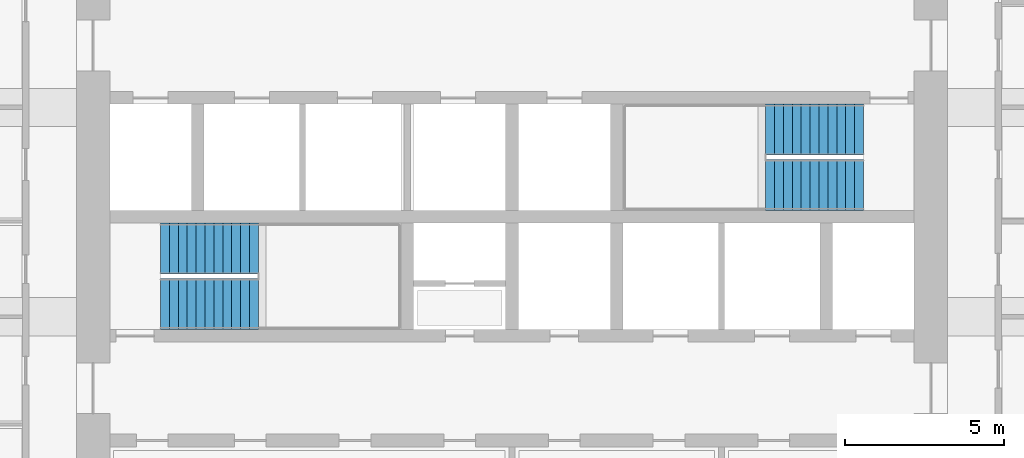
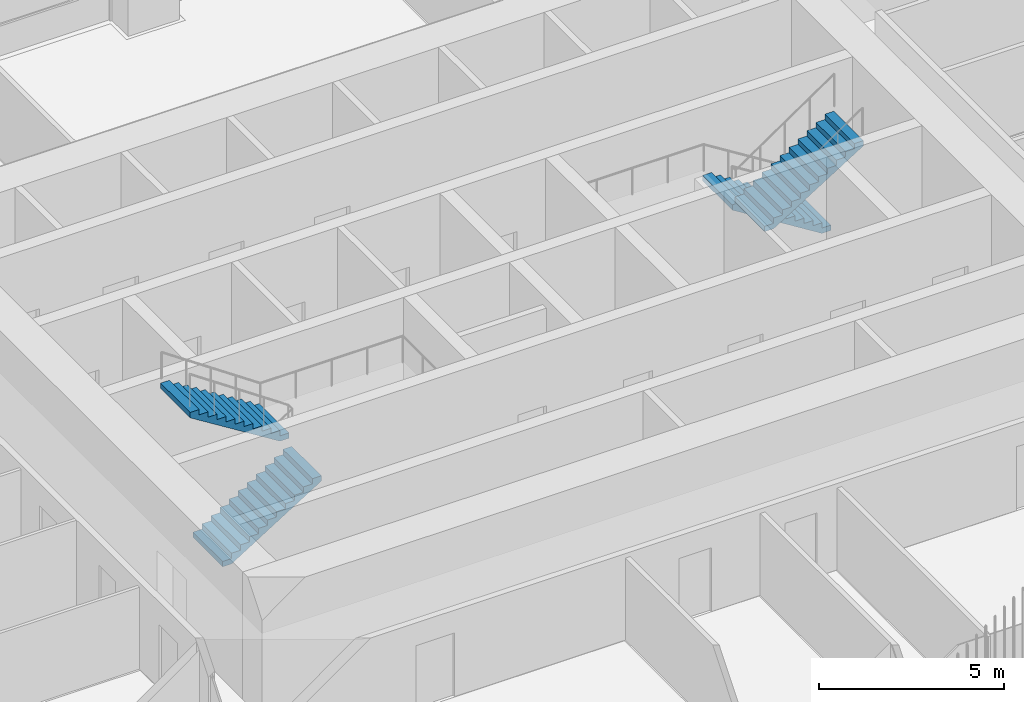
# One storey, part 15 of 20: 4 stair flights, 2 elements without a shape of their own.
"""IFC4 building model written with IfcOpenShell, lengths in metres."""

from ifc_helpers import new_model, si_unit, direction, frame, origin, place, context, subcontext, project, spatial, polyline, outline, extrude, material, type_object, element, aggregate, save


model = new_model("IFC4")

# Units and contexts
model_context = context("Model", 3, precision=1e-05, world=origin(), true_north=direction((0.0, 1.0)))
body_context = subcontext(model_context, "Body", "Model", "MODEL_VIEW")
ifc_project = project(units=[si_unit("LENGTHUNIT", "METRE"), si_unit("AREAUNIT", "SQUARE_METRE"), si_unit("VOLUMEUNIT", "CUBIC_METRE"), si_unit("PLANEANGLEUNIT", "RADIAN"), si_unit("MASSUNIT", "GRAM", prefix="KILO")], contexts=[model_context])

# Site, building, storey
site_placement = place(None, origin())
site = spatial("IfcSite", under=ifc_project, at=site_placement, CompositionType="ELEMENT")
building_placement = place(site_placement, origin())
building = spatial("IfcBuilding", under=site, at=building_placement, Name="Cobogo Forest Laboratory Tower", CompositionType="ELEMENT")
storey_placement = place(building_placement, frame((0.0, 0.0, 193.5)))
storey = spatial("IfcBuildingStorey", under=building, at=storey_placement, Name="L44", CompositionType="ELEMENT", Elevation=193.5)

# Stair, stair flights
ifc_material = material(Name="Precast concrete HA-40 (C40/50)", Category="concrete")
stair_type = type_object("IfcStairType", Name="ST24 exit stair 24 risers", PredefinedType="HALF_TURN_STAIR", material=ifc_material)
stair_1_placement = place(storey_placement, origin())
stair_1 = element("IfcStair", 1, at=stair_1_placement, inside=storey, type_object=stair_type, Name="Stair 1 L44 to L45", PredefinedType="HALF_TURN_STAIR")
stair_flight_type = type_object("IfcStairFlightType", Name="ST stair flight 280 going", PredefinedType="STRAIGHT", material=ifc_material)
stair_flight_1_placement = place(storey_placement, frame((15.324951171875, 20.199951171875, 0.0), z_axis=(0.0, 0.0, 1.0), x_axis=(1.0, 0.0, 0.0)))
stair_flight_1 = element("IfcStairFlight", 2, at=stair_flight_1_placement, type_object=stair_flight_type, Name="ST1 flight 1", NumberOfRisers=12, NumberOfTreads=11, PredefinedType="STRAIGHT", RiserHeight=0.175, TreadLength=0.28, context=body_context, shape_type="SweptSolid", body=[
    extrude(outline(polyline([(0.0, 0.0), (0.0, 0.175048828125), (0.280029296875, 0.175048828125), (0.280029296875, 0.35009765625), (0.56005859375, 0.35009765625), (0.56005859375, 0.52490234375), (0.840087890625, 0.52490234375), (0.840087890625, 0.699951171875), (1.1201171875, 0.699951171875), (1.1201171875, 0.875), (1.39990234375, 0.875), (1.39990234375, 1.050048828125), (1.679931640625, 1.050048828125), (1.679931640625, 1.22509765625), (1.9599609375, 1.22509765625), (1.9599609375, 1.39990234375), (2.239990234375, 1.39990234375), (2.239990234375, 1.574951171875), (2.52001953125, 1.574951171875), (2.52001953125, 1.75), (2.800048828125, 1.75), (2.800048828125, 1.925048828125), (3.080078125, 1.925048828125), (3.080078125, 2.10009765625), (3.080078125, 1.748291015625), (0.28271484375, 0.0), (0.0, 0.0)])), frame((0.0, 0.800048828125, 0.0), z_axis=(0.0, -1.0, 0.0), x_axis=(1.0, 0.0, 0.0)), (0.0, 0.0, 1.0), 1.60009765625),
])
stair_flight_2_placement = place(storey_placement, frame((18.405029296875, 21.949951171875, 2.10009765625), z_axis=(0.0, 0.0, 1.0), x_axis=(-1.0, 0.0, 0.0)))
stair_flight_2 = element("IfcStairFlight", 3, at=stair_flight_2_placement, type_object=stair_flight_type, Name="ST1 flight 2", NumberOfRisers=12, NumberOfTreads=11, PredefinedType="STRAIGHT", RiserHeight=0.175, TreadLength=0.28, context=body_context, shape_type="SweptSolid", body=[
    extrude(outline(polyline([(0.0, 0.0), (0.0, 0.175048828125), (0.280029296875, 0.175048828125), (0.280029296875, 0.35009765625), (0.56005859375, 0.35009765625), (0.56005859375, 0.52490234375), (0.840087890625, 0.52490234375), (0.840087890625, 0.699951171875), (1.1201171875, 0.699951171875), (1.1201171875, 0.875), (1.39990234375, 0.875), (1.39990234375, 1.050048828125), (1.679931640625, 1.050048828125), (1.679931640625, 1.22509765625), (1.9599609375, 1.22509765625), (1.9599609375, 1.39990234375), (2.239990234375, 1.39990234375), (2.239990234375, 1.574951171875), (2.52001953125, 1.574951171875), (2.52001953125, 1.75), (2.800048828125, 1.75), (2.800048828125, 1.925048828125), (3.080078125, 1.925048828125), (3.080078125, 2.10009765625), (3.080078125, 1.748291015625), (0.28271484375, 0.0), (0.0, 0.0)])), frame((0.0, 0.800048828125, 0.0), z_axis=(0.0, -1.0, 0.0), x_axis=(1.0, 0.0, 0.0)), (0.0, 0.0, 1.0), 1.60009765625),
])
aggregate(stair_1, [stair_flight_1, stair_flight_2])

stair_2_placement = place(storey_placement, origin())
stair_2 = element("IfcStair", 4, at=stair_2_placement, inside=storey, type_object=stair_type, Name="Stair 2 L44 to L45", PredefinedType="HALF_TURN_STAIR")
stair_flight_3_placement = place(storey_placement, frame((37.47509765625, 25.699951171875, 0.0), z_axis=(0.0, 0.0, 1.0), x_axis=(-1.0, 0.0, 0.0)))
stair_flight_3 = element("IfcStairFlight", 5, at=stair_flight_3_placement, type_object=stair_flight_type, Name="ST2 flight 1", NumberOfRisers=12, NumberOfTreads=11, PredefinedType="STRAIGHT", RiserHeight=0.175, TreadLength=0.28, context=body_context, shape_type="SweptSolid", body=[
    extrude(outline(polyline([(0.0, 0.0), (0.0, 0.175048828125), (0.280029296875, 0.175048828125), (0.280029296875, 0.35009765625), (0.56005859375, 0.35009765625), (0.56005859375, 0.52490234375), (0.840087890625, 0.52490234375), (0.840087890625, 0.699951171875), (1.1201171875, 0.699951171875), (1.1201171875, 0.875), (1.39990234375, 0.875), (1.39990234375, 1.050048828125), (1.679931640625, 1.050048828125), (1.679931640625, 1.22509765625), (1.9599609375, 1.22509765625), (1.9599609375, 1.39990234375), (2.239990234375, 1.39990234375), (2.239990234375, 1.574951171875), (2.52001953125, 1.574951171875), (2.52001953125, 1.75), (2.800048828125, 1.75), (2.800048828125, 1.925048828125), (3.080078125, 1.925048828125), (3.080078125, 2.10009765625), (3.080078125, 1.748291015625), (0.28271484375, 0.0), (0.0, 0.0)])), frame((0.0, 0.800048828125, 0.0), z_axis=(0.0, -1.0, 0.0), x_axis=(1.0, 0.0, 0.0)), (0.0, 0.0, 1.0), 1.60009765625),
])
stair_flight_4_placement = place(storey_placement, frame((34.39501953125, 23.949951171875, 2.10009765625), z_axis=(0.0, 0.0, 1.0), x_axis=(1.0, 0.0, 0.0)))
stair_flight_4 = element("IfcStairFlight", 6, at=stair_flight_4_placement, type_object=stair_flight_type, Name="ST2 flight 2", NumberOfRisers=12, NumberOfTreads=11, PredefinedType="STRAIGHT", RiserHeight=0.175, TreadLength=0.28, context=body_context, shape_type="SweptSolid", body=[
    extrude(outline(polyline([(0.0, 0.0), (0.0, 0.175048828125), (0.280029296875, 0.175048828125), (0.280029296875, 0.35009765625), (0.56005859375, 0.35009765625), (0.56005859375, 0.52490234375), (0.840087890625, 0.52490234375), (0.840087890625, 0.699951171875), (1.1201171875, 0.699951171875), (1.1201171875, 0.875), (1.39990234375, 0.875), (1.39990234375, 1.050048828125), (1.679931640625, 1.050048828125), (1.679931640625, 1.22509765625), (1.9599609375, 1.22509765625), (1.9599609375, 1.39990234375), (2.239990234375, 1.39990234375), (2.239990234375, 1.574951171875), (2.52001953125, 1.574951171875), (2.52001953125, 1.75), (2.800048828125, 1.75), (2.800048828125, 1.925048828125), (3.080078125, 1.925048828125), (3.080078125, 2.10009765625), (3.080078125, 1.748291015625), (0.28271484375, 0.0), (0.0, 0.0)])), frame((0.0, 0.800048828125, 0.0), z_axis=(0.0, -1.0, 0.0), x_axis=(1.0, 0.0, 0.0)), (0.0, 0.0, 1.0), 1.60009765625),
])
aggregate(stair_2, [stair_flight_3, stair_flight_4])

save(model, "model.ifc")
